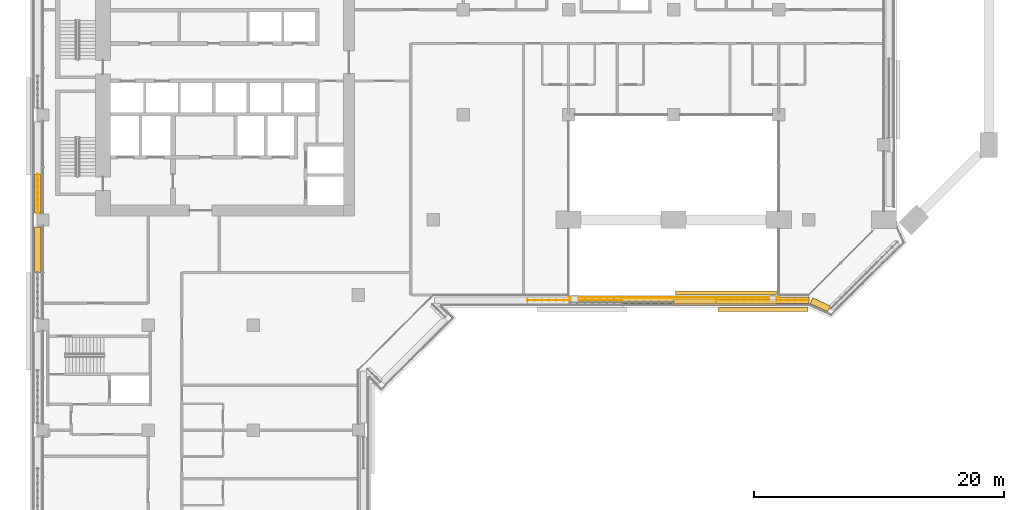
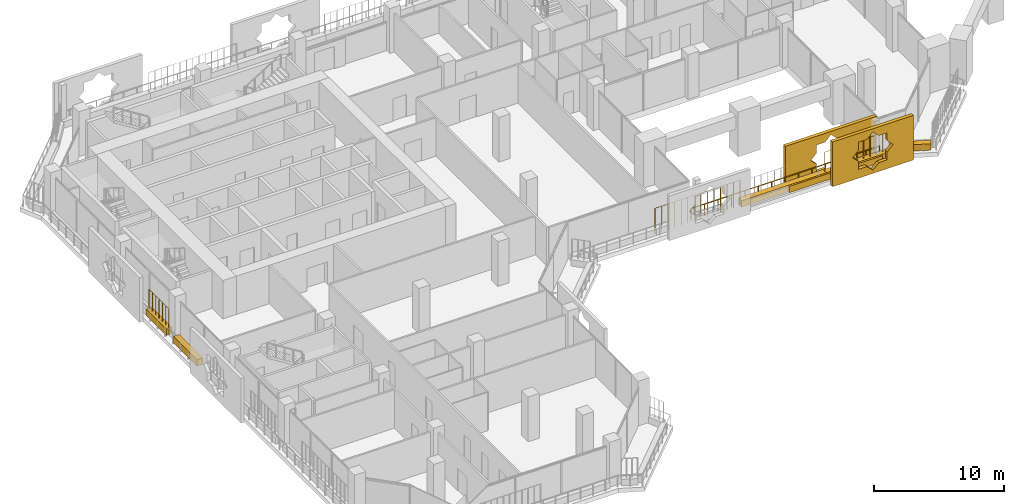
# One storey, part 20 of 23: 8 coverings, 4 railings.
"""IFC4 building model written with IfcOpenShell, lengths in metres."""

from ifc_helpers import new_model, si_unit, direction, frame, origin, origin_2d, place, context, subcontext, project, spatial, polyline, rectangle, circle, outline, extrude, material, material_profile, profile_set, type_object, element, save


model = new_model("IFC4")

# Units and contexts
model_context = context("Model", 3, precision=1e-05, world=origin(), true_north=direction((0.0, 1.0)))
body_context = subcontext(model_context, "Body", "Model", "MODEL_VIEW")
ifc_project = project(units=[si_unit("LENGTHUNIT", "METRE"), si_unit("AREAUNIT", "SQUARE_METRE"), si_unit("VOLUMEUNIT", "CUBIC_METRE"), si_unit("PLANEANGLEUNIT", "RADIAN"), si_unit("MASSUNIT", "GRAM", prefix="KILO")], contexts=[model_context])

# Site, building, storey
site_placement = place(None, origin())
site = spatial("IfcSite", under=ifc_project, at=site_placement, CompositionType="ELEMENT")
building_placement = place(site_placement, origin())
building = spatial("IfcBuilding", under=site, at=building_placement, Name="Kawkab Arch Medical Tower", CompositionType="ELEMENT")
storey_placement = place(building_placement, frame((0.0, 0.0, 166.800048828125)))
storey = spatial("IfcBuildingStorey", under=building, at=storey_placement, Name="L38", CompositionType="ELEMENT", Elevation=166.800048828125)

# Railing
ifc_material_1 = material(Name="Bronze anodised aluminium guard", Category="aluminium")
railing_type_1 = type_object("IfcRailingType", Name="Loggia and terrace guard 1100", PredefinedType="GUARDRAIL", material=ifc_material_1)
railing_1_placement = place(storey_placement, frame((42.030029296875, -31.39990234375, 0.0)))
element("IfcRailing", 1, at=railing_1_placement, inside=storey, type_object=railing_type_1, Name="Guard L38.LOG-01.1.1", PredefinedType="GUARDRAIL", context=body_context, shape_type="SweptSolid", body=[
    extrude(circle(Radius=0.02392578125, at=origin_2d()), frame((0.0, 0.0, 1.076171875), z_axis=(1.0, 0.0, 0.0), x_axis=(0.0, 1.0, 0.0)), (0.0, 0.0, 1.0), 16.739990234375),
    extrude(circle(Radius=0.02099609375, at=origin_2d()), origin(), (0.0, 0.0, 1.0), 1.052001953125),
    extrude(circle(Radius=0.02099609375, at=origin_2d()), frame((1.19580078125, 0.0, 0.0)), (0.0, 0.0, 1.0), 1.052001953125),
    extrude(circle(Radius=0.02099609375, at=origin_2d()), frame((2.391357421875, 0.0, 0.0)), (0.0, 0.0, 1.0), 1.052001953125),
    extrude(circle(Radius=0.02099609375, at=origin_2d()), frame((3.587158203125, 0.0, 0.0)), (0.0, 0.0, 1.0), 1.052001953125),
    extrude(circle(Radius=0.02099609375, at=origin_2d()), frame((4.782958984375, 0.0, 0.0)), (0.0, 0.0, 1.0), 1.052001953125),
    extrude(circle(Radius=0.02099609375, at=origin_2d()), frame((5.978515625, 0.0, 0.0)), (0.0, 0.0, 1.0), 1.052001953125),
    extrude(circle(Radius=0.02099609375, at=origin_2d()), frame((7.17431640625, 0.0, 0.0)), (0.0, 0.0, 1.0), 1.052001953125),
    extrude(circle(Radius=0.02099609375, at=origin_2d()), frame((8.3701171875, 0.0, 0.0)), (0.0, 0.0, 1.0), 1.052001953125),
    extrude(circle(Radius=0.02099609375, at=origin_2d()), frame((9.565673828125, 0.0, 0.0)), (0.0, 0.0, 1.0), 1.052001953125),
    extrude(circle(Radius=0.02099609375, at=origin_2d()), frame((10.761474609375, 0.0, 0.0)), (0.0, 0.0, 1.0), 1.052001953125),
    extrude(circle(Radius=0.02099609375, at=origin_2d()), frame((11.95703125, 0.0, 0.0)), (0.0, 0.0, 1.0), 1.052001953125),
    extrude(circle(Radius=0.02099609375, at=origin_2d()), frame((13.15283203125, 0.0, 0.0)), (0.0, 0.0, 1.0), 1.052001953125),
    extrude(circle(Radius=0.02099609375, at=origin_2d()), frame((14.3486328125, 0.0, 0.0)), (0.0, 0.0, 1.0), 1.052001953125),
    extrude(circle(Radius=0.02099609375, at=origin_2d()), frame((15.544189453125, 0.0, 0.0)), (0.0, 0.0, 1.0), 1.052001953125),
    extrude(circle(Radius=0.02099609375, at=origin_2d()), frame((16.739990234375, 0.0, 0.0)), (0.0, 0.0, 1.0), 1.052001953125),
])

# Coverings
ifc_material_2 = material(Name="Bronze anodised aluminium mashrabiya panel, eight-point star pattern", Category="aluminium")
ifc_material_profile_1 = material_profile(ifc_material_2, outline(polyline([(-3.60009765625, -2.10009765625), (3.60009765625, -2.10009765625), (3.60009765625, 2.10009765625), (-3.60009765625, 2.10009765625), (-3.60009765625, -2.10009765625)]), holes=[polyline([(1.800048828125, 0.0), (1.272705078125, 0.527099609375), (1.272705078125, 1.272705078125), (0.527099609375, 1.272705078125), (0.0, 1.800048828125), (-0.527099609375, 1.272705078125), (-1.272705078125, 1.272705078125), (-1.272705078125, 0.527099609375), (-1.800048828125, 0.0), (-1.272705078125, -0.527099609375), (-1.272705078125, -1.272705078125), (-0.527099609375, -1.272705078125), (0.0, -1.800048828125), (0.527099609375, -1.272705078125), (1.272705078125, -1.272705078125), (1.272705078125, -0.527099609375), (1.800048828125, 0.0)])]), Name="Mashrabiya panel 7200x4200")
ifc_profile_set_1 = profile_set([ifc_material_profile_1], Name="Bronze anodised aluminium mashrabiya panel, eight-point star pattern")
covering_type_1 = type_object("IfcCoveringType", Name="Mashrabiya panel 7200 x 4200", PredefinedType="USERDEFINED", material=ifc_profile_set_1)
covering_1_placement = place(storey_placement, frame((57.5546875, -32.199951171875, 1.699951171875), z_axis=(0.0, -1.0, 0.0), x_axis=(1.0, 0.0, 0.0)))
element("IfcCovering", 2, at=covering_1_placement, inside=storey, type_object=covering_type_1, Name="Mashrabiya panel L38.LOG-01-02.8", ObjectType="SCREEN", PredefinedType="USERDEFINED", context=body_context, shape_type="SweptSolid", body=[
    extrude(outline(polyline([(-3.60009765625, -2.10009765625), (3.60009765625, -2.10009765625), (3.60009765625, 2.10009765625), (-3.60009765625, 2.10009765625), (-3.60009765625, -2.10009765625)]), holes=[polyline([(1.800048828125, 0.0), (1.272705078125, 0.527099609375), (1.272705078125, 1.272705078125), (0.527099609375, 1.272705078125), (0.0, 1.800048828125), (-0.527099609375, 1.272705078125), (-1.272705078125, 1.272705078125), (-1.272705078125, 0.527099609375), (-1.800048828125, 0.0), (-1.272705078125, -0.527099609375), (-1.272705078125, -1.272705078125), (-0.527099609375, -1.272705078125), (0.0, -1.800048828125), (0.527099609375, -1.272705078125), (1.272705078125, -1.272705078125), (1.272705078125, -0.527099609375), (1.800048828125, 0.0)])]), origin(), (0.0, 0.0, 1.0), 0.300048828125),
])
ifc_material_3 = material(Name="Bronze anodised aluminium mashrabiya panel, eight-point star pattern", Category="aluminium")
ifc_material_profile_2 = material_profile(ifc_material_3, outline(polyline([(-4.050048828125, -2.10009765625), (4.050048828125, -2.10009765625), (4.050048828125, 2.10009765625), (-4.050048828125, 2.10009765625), (-4.050048828125, -2.10009765625)]), holes=[polyline([(1.800048828125, 0.0), (1.272705078125, 0.527099609375), (1.272705078125, 1.272705078125), (0.527099609375, 1.272705078125), (0.0, 1.800048828125), (-0.527099609375, 1.272705078125), (-1.272705078125, 1.272705078125), (-1.272705078125, 0.527099609375), (-1.800048828125, 0.0), (-1.272705078125, -0.527099609375), (-1.272705078125, -1.272705078125), (-0.527099609375, -1.272705078125), (0.0, -1.800048828125), (0.527099609375, -1.272705078125), (1.272705078125, -1.272705078125), (1.272705078125, -0.527099609375), (1.800048828125, 0.0)])]), Name="Mashrabiya panel 8100x4200")
ifc_profile_set_2 = profile_set([ifc_material_profile_2], Name="Bronze anodised aluminium mashrabiya panel, eight-point star pattern")
covering_type_2 = type_object("IfcCoveringType", Name="Mashrabiya panel 8100 x 4200", PredefinedType="USERDEFINED", material=ifc_profile_set_2)
covering_2_placement = place(storey_placement, frame((54.5849609375, -31.199951171875, 1.699951171875), z_axis=(0.0, 1.0, 0.0), x_axis=(-1.0, 0.0, 0.0)))
element("IfcCovering", 3, at=covering_2_placement, inside=storey, type_object=covering_type_2, Name="Mashrabiya panel L38.LOG-01-01.1", ObjectType="SCREEN", PredefinedType="USERDEFINED", context=body_context, shape_type="SweptSolid", body=[
    extrude(outline(polyline([(-4.050048828125, -2.10009765625), (4.050048828125, -2.10009765625), (4.050048828125, 2.10009765625), (-4.050048828125, 2.10009765625), (-4.050048828125, -2.10009765625)]), holes=[polyline([(1.800048828125, 0.0), (1.272705078125, 0.527099609375), (1.272705078125, 1.272705078125), (0.527099609375, 1.272705078125), (0.0, 1.800048828125), (-0.527099609375, 1.272705078125), (-1.272705078125, 1.272705078125), (-1.272705078125, 0.527099609375), (-1.800048828125, 0.0), (-1.272705078125, -0.527099609375), (-1.272705078125, -1.272705078125), (-0.527099609375, -1.272705078125), (0.0, -1.800048828125), (0.527099609375, -1.272705078125), (1.272705078125, -1.272705078125), (1.272705078125, -0.527099609375), (1.800048828125, 0.0)])]), origin(), (0.0, 0.0, 1.0), 0.300048828125),
])
ifc_material_4 = material(Name="Planting soil in a precast trough", Category="concrete")
ifc_material_profile_3 = material_profile(ifc_material_4, rectangle(XDim=0.5, YDim=0.60009765625, at=origin_2d()), Name="Trough 500x600")
ifc_profile_set_3 = profile_set([ifc_material_profile_3], Name="Planting soil in a precast trough")
covering_type_3 = type_object("IfcCoveringType", Name="Planter trough 500 x 600", PredefinedType="USERDEFINED", material=ifc_profile_set_3)
covering_3_placement = place(storey_placement, frame((50.39990234375, -31.780029296875, 0.300048828125), z_axis=(1.0, 0.0, 0.0), x_axis=(0.0, 1.0, 0.0)))
element("IfcCovering", 4, at=covering_3_placement, inside=storey, type_object=covering_type_3, Name="Planter L38.LOG-01-01.2", ObjectType="PLANTER", PredefinedType="USERDEFINED", context=body_context, shape_type="SweptSolid", body=[
    extrude(rectangle(XDim=0.5, YDim=0.60009765625, at=origin_2d()), origin(), (0.0, 0.0, 1.0), 8.27001953125),
])
covering_4_placement = place(storey_placement, frame((-0.419921875, -29.39990234375, 0.300048828125), z_axis=(0.0, 1.0, 0.0), x_axis=(-1.0, 0.0, 0.0)))
element("IfcCovering", 5, at=covering_4_placement, inside=storey, type_object=covering_type_3, Name="Planter L38.LOG-01-02.12", ObjectType="PLANTER", PredefinedType="USERDEFINED", context=body_context, shape_type="SweptSolid", body=[
    extrude(rectangle(XDim=0.5, YDim=0.60009765625, at=origin_2d()), origin(), (0.0, 0.0, 1.0), 3.64501953125),
])
covering_5_placement = place(storey_placement, frame((-0.419921875, -24.64501953125, 0.300048828125), z_axis=(0.0, 1.0, 0.0), x_axis=(-1.0, 0.0, 0.0)))
element("IfcCovering", 6, at=covering_5_placement, inside=storey, type_object=covering_type_3, Name="Planter L38.LOG-01-02.13", ObjectType="PLANTER", PredefinedType="USERDEFINED", context=body_context, shape_type="SweptSolid", body=[
    extrude(rectangle(XDim=0.5, YDim=0.60009765625, at=origin_2d()), origin(), (0.0, 0.0, 1.0), 3.0869140625),
])
covering_6_placement = place(storey_placement, frame((62.821044921875, -32.302001953125, 0.300048828125), z_axis=(-0.909655525109, 0.415363486165, 0.0), x_axis=(-0.415363486165, -0.909655525109, 0.0)))
element("IfcCovering", 7, at=covering_6_placement, inside=storey, type_object=covering_type_3, Name="Planter L38.LOG-01-02.34", ObjectType="PLANTER", PredefinedType="USERDEFINED", context=body_context, shape_type="SweptSolid", body=[
    extrude(rectangle(XDim=0.5, YDim=0.60009765625, at=origin_2d()), origin(), (0.0, 0.0, 1.0), 1.54345703125),
])
covering_7_placement = place(storey_placement, frame((61.22607421875, -31.6201171875, 0.300048828125), z_axis=(-1.0, 0.0, 0.0), x_axis=(0.0, -1.0, 0.0)))
element("IfcCovering", 8, at=covering_7_placement, inside=storey, type_object=covering_type_3, Name="Planter L38.LOG-01-02.35", ObjectType="PLANTER", PredefinedType="USERDEFINED", context=body_context, shape_type="SweptSolid", body=[
    extrude(rectangle(XDim=0.5, YDim=0.60009765625, at=origin_2d()), origin(), (0.0, 0.0, 1.0), 7.43505859375),
])
covering_8_placement = place(storey_placement, frame((53.791015625, -31.6201171875, 0.300048828125), z_axis=(-1.0, 0.0, 0.0), x_axis=(0.0, -1.0, 0.0)))
element("IfcCovering", 9, at=covering_8_placement, inside=storey, type_object=covering_type_3, Name="Planter L38.LOG-01-02.36", ObjectType="PLANTER", PredefinedType="USERDEFINED", context=body_context, shape_type="SweptSolid", body=[
    extrude(rectangle(XDim=0.5, YDim=0.60009765625, at=origin_2d()), origin(), (0.0, 0.0, 1.0), 7.5361328125),
])

# Railings
ifc_material_5 = material(Name="Bronze anodised aluminium trellis for climbing plants", Category="aluminium")
railing_type_2 = type_object("IfcRailingType", Name="Planting trellis 2400", PredefinedType="USERDEFINED", material=ifc_material_5)
railing_2_placement = place(storey_placement, frame((-0.419921875, -24.64501953125, 0.0)))
element("IfcRailing", 10, at=railing_2_placement, inside=storey, type_object=railing_type_2, Name="Planting trellis L38.LOG-01-02.13", ObjectType="TRELLIS", PredefinedType="USERDEFINED", context=body_context, shape_type="SweptSolid", body=[
    extrude(circle(Radius=0.01513671875, at=origin_2d()), frame((0.0, 0.0, 2.384765625), z_axis=(0.0, 1.0, 0.0), x_axis=(-1.0, 0.0, 0.0)), (0.0, 0.0, 1.0), 3.0869140625),
    extrude(circle(Radius=0.030029296875, at=origin_2d()), origin(), (0.0, 0.0, 1.0), 2.369873046875),
    extrude(circle(Radius=0.030029296875, at=origin_2d()), frame((0.0, 0.514404296875, 0.0)), (0.0, 0.0, 1.0), 2.369873046875),
    extrude(circle(Radius=0.030029296875, at=origin_2d()), frame((0.0, 1.029052734375, 0.0)), (0.0, 0.0, 1.0), 2.369873046875),
    extrude(circle(Radius=0.030029296875, at=origin_2d()), frame((0.0, 1.54345703125, 0.0)), (0.0, 0.0, 1.0), 2.369873046875),
    extrude(circle(Radius=0.030029296875, at=origin_2d()), frame((0.0, 2.057861328125, 0.0)), (0.0, 0.0, 1.0), 2.369873046875),
    extrude(circle(Radius=0.030029296875, at=origin_2d()), frame((0.0, 2.572509765625, 0.0)), (0.0, 0.0, 1.0), 2.369873046875),
    extrude(circle(Radius=0.030029296875, at=origin_2d()), frame((0.0, 3.0869140625, 0.0)), (0.0, 0.0, 1.0), 2.369873046875),
])
railing_3_placement = place(storey_placement, frame((61.22607421875, -31.6201171875, 0.0)))
element("IfcRailing", 11, at=railing_3_placement, inside=storey, type_object=railing_type_2, Name="Planting trellis L38.LOG-01-02.35", ObjectType="TRELLIS", PredefinedType="USERDEFINED", context=body_context, shape_type="SweptSolid", body=[
    extrude(circle(Radius=0.01513671875, at=origin_2d()), frame((0.0, 0.0, 2.384765625), z_axis=(-1.0, 0.0, 0.0), x_axis=(0.0, -1.0, 0.0)), (0.0, 0.0, 1.0), 7.43505859375),
    extrude(circle(Radius=0.030029296875, at=origin_2d()), origin(), (0.0, 0.0, 1.0), 2.369873046875),
    extrude(circle(Radius=0.030029296875, at=origin_2d()), frame((-0.572021484375, 0.0, 0.0)), (0.0, 0.0, 1.0), 2.369873046875),
    extrude(circle(Radius=0.030029296875, at=origin_2d()), frame((-1.143798828125, 0.0, 0.0)), (0.0, 0.0, 1.0), 2.369873046875),
    extrude(circle(Radius=0.030029296875, at=origin_2d()), frame((-1.7158203125, 0.0, 0.0)), (0.0, 0.0, 1.0), 2.369873046875),
    extrude(circle(Radius=0.030029296875, at=origin_2d()), frame((-2.28759765625, 0.0, 0.0)), (0.0, 0.0, 1.0), 2.369873046875),
    extrude(circle(Radius=0.030029296875, at=origin_2d()), frame((-2.859619140625, 0.0, 0.0)), (0.0, 0.0, 1.0), 2.369873046875),
    extrude(circle(Radius=0.030029296875, at=origin_2d()), frame((-3.431640625, 0.0, 0.0)), (0.0, 0.0, 1.0), 2.369873046875),
    extrude(circle(Radius=0.030029296875, at=origin_2d()), frame((-4.00341796875, 0.0, 0.0)), (0.0, 0.0, 1.0), 2.369873046875),
    extrude(circle(Radius=0.030029296875, at=origin_2d()), frame((-4.575439453125, 0.0, 0.0)), (0.0, 0.0, 1.0), 2.369873046875),
    extrude(circle(Radius=0.030029296875, at=origin_2d()), frame((-5.1474609375, 0.0, 0.0)), (0.0, 0.0, 1.0), 2.369873046875),
    extrude(circle(Radius=0.030029296875, at=origin_2d()), frame((-5.71923828125, 0.0, 0.0)), (0.0, 0.0, 1.0), 2.369873046875),
    extrude(circle(Radius=0.030029296875, at=origin_2d()), frame((-6.291259765625, 0.0, 0.0)), (0.0, 0.0, 1.0), 2.369873046875),
    extrude(circle(Radius=0.030029296875, at=origin_2d()), frame((-6.863037109375, 0.0, 0.0)), (0.0, 0.0, 1.0), 2.369873046875),
    extrude(circle(Radius=0.030029296875, at=origin_2d()), frame((-7.43505859375, 0.0, 0.0)), (0.0, 0.0, 1.0), 2.369873046875),
])
railing_4_placement = place(storey_placement, frame((46.2548828125, -31.6201171875, 0.0)))
element("IfcRailing", 12, at=railing_4_placement, inside=storey, type_object=railing_type_2, Name="Planting trellis L38.LOG-01-02.37", ObjectType="TRELLIS", PredefinedType="USERDEFINED", context=body_context, shape_type="SweptSolid", body=[
    extrude(circle(Radius=0.01513671875, at=origin_2d()), frame((0.0, 0.0, 2.384765625), z_axis=(-1.0, 0.0, 0.0), x_axis=(0.0, -1.0, 0.0)), (0.0, 0.0, 1.0), 7.534912109375),
    extrude(circle(Radius=0.030029296875, at=origin_2d()), origin(), (0.0, 0.0, 1.0), 2.369873046875),
    extrude(circle(Radius=0.030029296875, at=origin_2d()), frame((-0.57958984375, 0.0, 0.0)), (0.0, 0.0, 1.0), 2.369873046875),
    extrude(circle(Radius=0.030029296875, at=origin_2d()), frame((-1.1591796875, 0.0, 0.0)), (0.0, 0.0, 1.0), 2.369873046875),
    extrude(circle(Radius=0.030029296875, at=origin_2d()), frame((-1.73876953125, 0.0, 0.0)), (0.0, 0.0, 1.0), 2.369873046875),
    extrude(circle(Radius=0.030029296875, at=origin_2d()), frame((-2.318359375, 0.0, 0.0)), (0.0, 0.0, 1.0), 2.369873046875),
    extrude(circle(Radius=0.030029296875, at=origin_2d()), frame((-2.89794921875, 0.0, 0.0)), (0.0, 0.0, 1.0), 2.369873046875),
    extrude(circle(Radius=0.030029296875, at=origin_2d()), frame((-3.4775390625, 0.0, 0.0)), (0.0, 0.0, 1.0), 2.369873046875),
    extrude(circle(Radius=0.030029296875, at=origin_2d()), frame((-4.057373046875, 0.0, 0.0)), (0.0, 0.0, 1.0), 2.369873046875),
    extrude(circle(Radius=0.030029296875, at=origin_2d()), frame((-4.636962890625, 0.0, 0.0)), (0.0, 0.0, 1.0), 2.369873046875),
    extrude(circle(Radius=0.030029296875, at=origin_2d()), frame((-5.216552734375, 0.0, 0.0)), (0.0, 0.0, 1.0), 2.369873046875),
    extrude(circle(Radius=0.030029296875, at=origin_2d()), frame((-5.796142578125, 0.0, 0.0)), (0.0, 0.0, 1.0), 2.369873046875),
    extrude(circle(Radius=0.030029296875, at=origin_2d()), frame((-6.375732421875, 0.0, 0.0)), (0.0, 0.0, 1.0), 2.369873046875),
    extrude(circle(Radius=0.030029296875, at=origin_2d()), frame((-6.955322265625, 0.0, 0.0)), (0.0, 0.0, 1.0), 2.369873046875),
    extrude(circle(Radius=0.030029296875, at=origin_2d()), frame((-7.534912109375, 0.0, 0.0)), (0.0, 0.0, 1.0), 2.369873046875),
])

save(model, "model.ifc")
